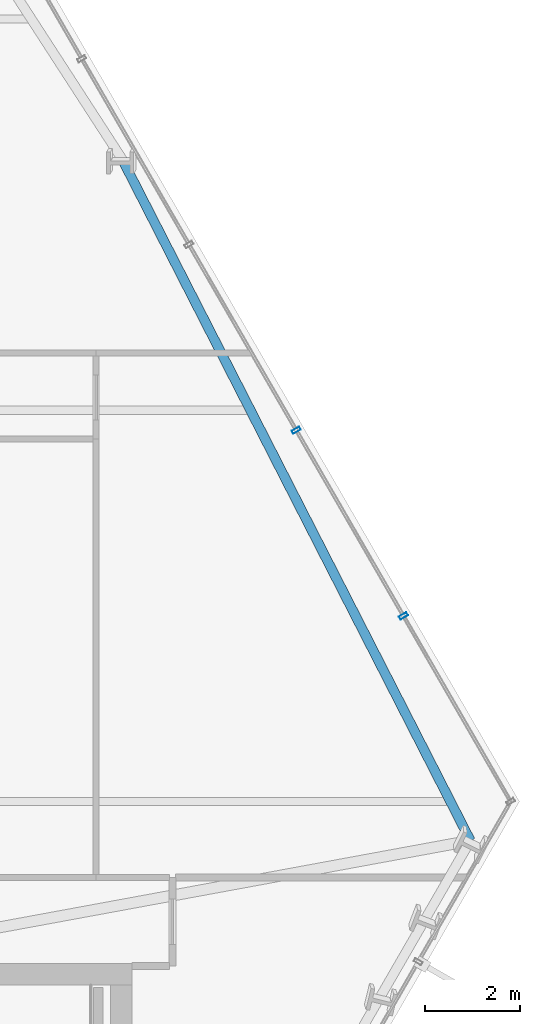
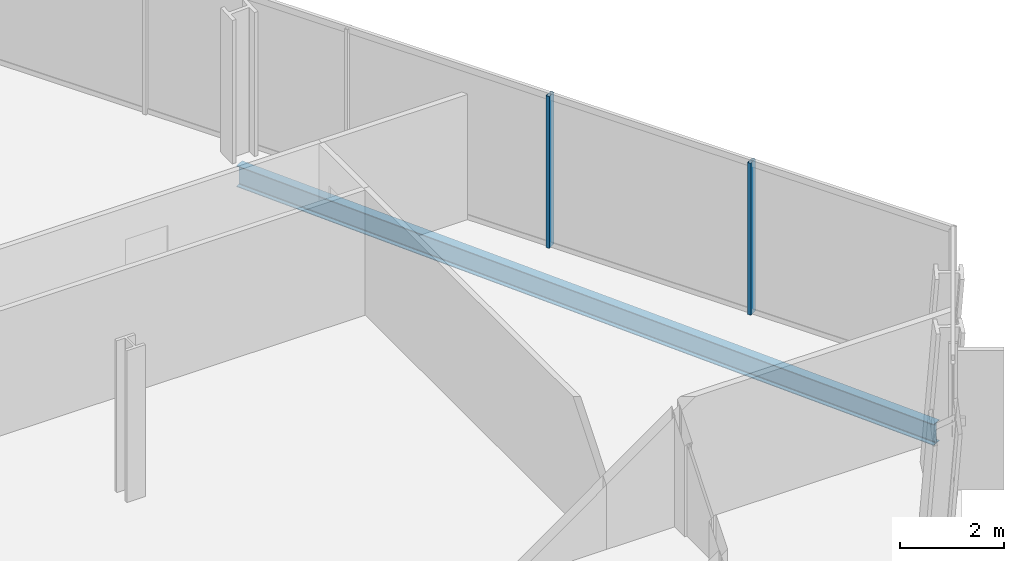
# One storey, part 18 of 32: 2 members, 1 beam, 1 element without a shape of its own.
"""IFC4 building model written with IfcOpenShell, lengths in metres."""

from ifc_helpers import new_model, si_unit, direction, frame, origin, origin_2d, place, context, subcontext, project, spatial, hollow_rectangle, i_section, extrude, material, layer, layer_set, material_profile, profile_set, type_object, element, aggregate, save


model = new_model("IFC4")

# Units and contexts
model_context = context("Model", 3, precision=1e-05, world=origin(), true_north=direction((0.0, 1.0)))
body_context = subcontext(model_context, "Body", "Model", "MODEL_VIEW")
ifc_project = project(units=[si_unit("LENGTHUNIT", "METRE"), si_unit("AREAUNIT", "SQUARE_METRE"), si_unit("VOLUMEUNIT", "CUBIC_METRE"), si_unit("PLANEANGLEUNIT", "RADIAN"), si_unit("MASSUNIT", "GRAM", prefix="KILO")], contexts=[model_context])

# Site, building, storey
site_placement = place(None, origin())
site = spatial("IfcSite", under=ifc_project, at=site_placement, CompositionType="ELEMENT")
building_placement = place(site_placement, origin())
building = spatial("IfcBuilding", under=site, at=building_placement, Name="Ndaravel Arena Tower", CompositionType="ELEMENT")
storey_placement = place(building_placement, frame((0.0, 0.0, 66.39990234375)))
storey = spatial("IfcBuildingStorey", under=building, at=storey_placement, Name="L14", CompositionType="ELEMENT", Elevation=66.39990234375)

# Beam
ifc_material_1 = material(Name="Steel S355", Category="steel")
ifc_material_profile_1 = material_profile(ifc_material_1, i_section(OverallWidth=0.199951171875, OverallDepth=0.5, WebThickness=0.01025390625, FlangeThickness=0.01611328125, FilletRadius=0.02099609375, at=origin_2d()), Name="IPE 500")
ifc_profile_set_1 = profile_set([ifc_material_profile_1], Name="Steel S355")
beam_type = type_object("IfcBeamType", Name="BM-SPAN-IPE500", PredefinedType="SPANDREL", material=ifc_profile_set_1)
beam_placement = place(storey_placement, frame((64.6484375, 17.7744140625, -0.469970703125), z_axis=(-0.455114813305, 0.890432763722, 0.0), x_axis=(-0.890432763722, -0.455114813305, 0.0)))
element("IfcBeam", 1, at=beam_placement, inside=storey, type_object=beam_type, Name="L14 Perimeter Spandrel Beam SP-09", PredefinedType="SPANDREL", context=body_context, shape_type="SweptSolid", body=[
    extrude(i_section(OverallWidth=0.199951171875, OverallDepth=0.5, WebThickness=0.01025390625, FlangeThickness=0.01611328125, FilletRadius=0.02099609375, at=origin_2d()), origin(), (0.0, 0.0, 1.0), 16.044189453125),
])

# Curtain wall, members
ifc_material_2 = material(Name="Aluminium", Category="aluminium")
ifc_layer = layer(ifc_material_2, 0.179931640625)
ifc_layer_set = layer_set([ifc_layer], Name="Aluminium")
curtain_wall_type = type_object("IfcCurtainWallType", Name="CW-SYS-03", PredefinedType="NOTDEFINED", material=ifc_layer_set)
curtain_wall_placement = place(storey_placement, origin())
curtain_wall = element("IfcCurtainWall", 2, at=curtain_wall_placement, inside=storey, type_object=curtain_wall_type, Name="L14 Faceted Crystal Curtain Wall CW-L14-E03", PredefinedType="NOTDEFINED")
ifc_material_3 = material(Name="Aluminium", Category="aluminium")
ifc_material_profile_2 = material_profile(ifc_material_3, hollow_rectangle(XDim=0.074951171875, YDim=0.179931640625, WallThickness=0.00390625, at=origin_2d()), Name="CW MULLION 75x180x4")
ifc_profile_set_2 = profile_set([ifc_material_profile_2], Name="Aluminium")
member_type = type_object("IfcMemberType", Name="MEM-CW-MUL180", PredefinedType="MULLION", material=ifc_profile_set_2)
member_1_placement = place(storey_placement, frame((63.2431640625, 22.4873046875, 0.0), z_axis=(0.0, 0.0, 1.0), x_axis=(-0.5, 0.866025403784, 0.0)))
member_1 = element("IfcMember", 3, at=member_1_placement, type_object=member_type, Name="CW-L14-E03 Mullion 01", PredefinedType="MULLION", context=body_context, shape_type="SweptSolid", body=[
    extrude(hollow_rectangle(XDim=0.074951171875, YDim=0.179931640625, WallThickness=0.00390625, at=origin_2d()), origin(), (0.0, 0.0, 1.0), 3.580078125),
])
member_2_placement = place(storey_placement, frame((60.995361328125, 26.380859375, 0.0), z_axis=(0.0, 0.0, 1.0), x_axis=(-0.5, 0.866025403784, 0.0)))
member_2 = element("IfcMember", 4, at=member_2_placement, type_object=member_type, Name="CW-L14-E03 Mullion 02", PredefinedType="MULLION", context=body_context, shape_type="SweptSolid", body=[
    extrude(hollow_rectangle(XDim=0.074951171875, YDim=0.179931640625, WallThickness=0.00390625, at=origin_2d()), origin(), (0.0, 0.0, 1.0), 3.580078125),
])
aggregate(curtain_wall, [member_1, member_2])

save(model, "model.ifc")
